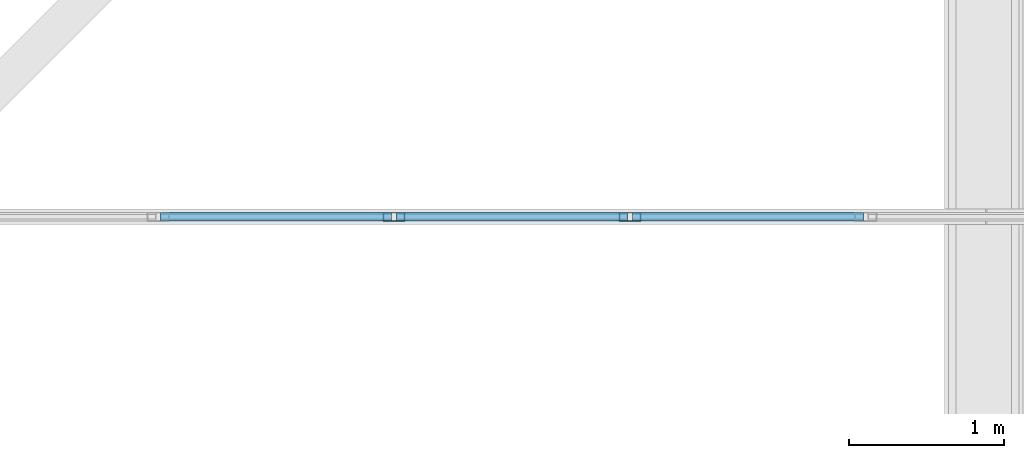
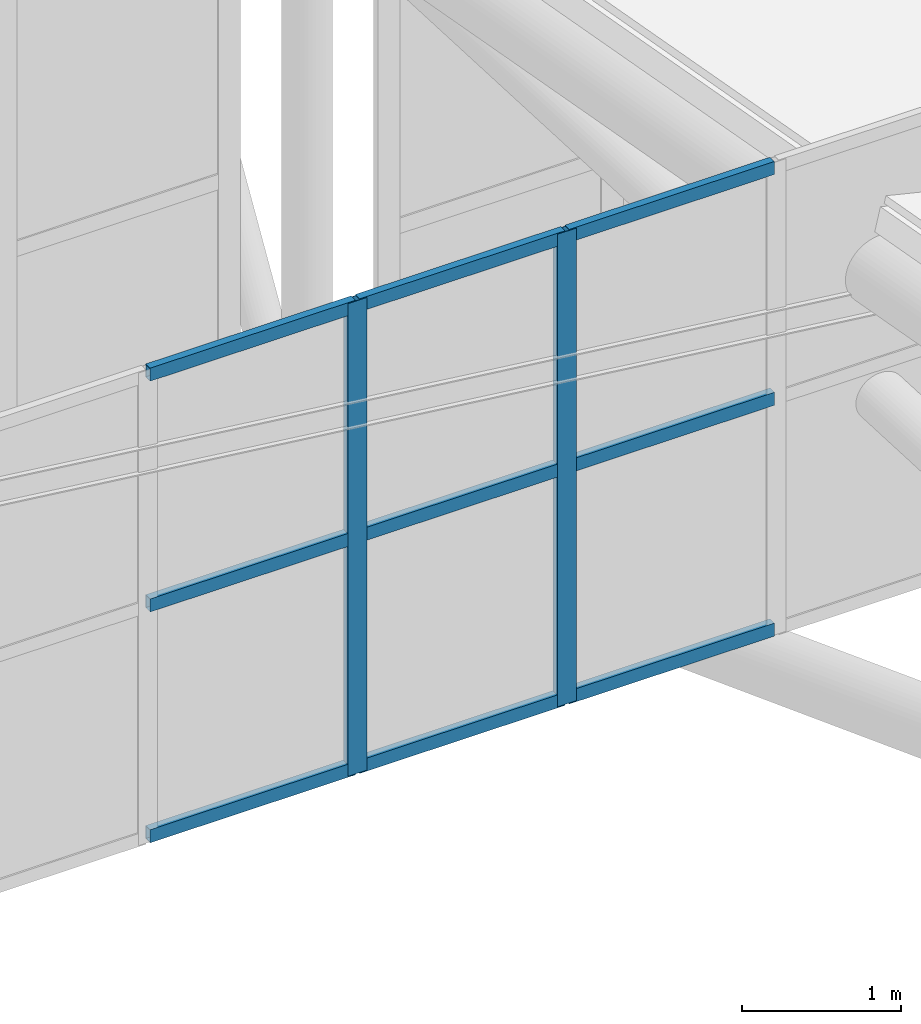
# One storey, part 338 of 397: 11 members, 1 element without a shape of its own.
"""IFC4 building model written with IfcOpenShell, lengths in metres."""

from ifc_helpers import new_model, si_unit, direction, frame, origin, origin_2d, place, context, subcontext, project, spatial, hollow_rectangle, extrude, material, material_profile, profile_set, type_object, element, aggregate, save


model = new_model("IFC4")

# Units and contexts
model_context = context("Model", 3, precision=1e-05, world=origin(), true_north=direction((0.0, 1.0)))
body_context = subcontext(model_context, "Body", "Model", "MODEL_VIEW")
ifc_project = project(units=[si_unit("LENGTHUNIT", "METRE"), si_unit("AREAUNIT", "SQUARE_METRE"), si_unit("VOLUMEUNIT", "CUBIC_METRE"), si_unit("PLANEANGLEUNIT", "RADIAN"), si_unit("MASSUNIT", "GRAM", prefix="KILO")], contexts=[model_context])

# Site, building, storey
site_placement = place(None, origin())
site = spatial("IfcSite", under=ifc_project, at=site_placement, CompositionType="ELEMENT")
building_placement = place(site_placement, origin())
building = spatial("IfcBuilding", under=site, at=building_placement, Name="Qandorah Velis Arena", CompositionType="ELEMENT")
storey_placement = place(building_placement, frame((0.0, 0.0, 27.5)))
storey = spatial("IfcBuildingStorey", under=building, at=storey_placement, Name="RF", CompositionType="ELEMENT", Elevation=27.5)

# Curtain wall, members
ifc_material_1 = material(Name="Solar-control low-E double glazing", Category="glass")
curtain_wall_type = type_object("IfcCurtainWallType", Name="ARC-CW-SYS06", PredefinedType="USERDEFINED", material=ifc_material_1)
curtain_wall_placement = place(storey_placement, origin())
curtain_wall = element("IfcCurtainWall", 1, at=curtain_wall_placement, inside=storey, type_object=curtain_wall_type, Name="Unitised curtain wall MON-4-6", ObjectType="UNITISED CURTAIN WALL", PredefinedType="USERDEFINED")
ifc_material_2 = material(Name="Champagne-bronze anodized aluminium 6063-T6", Category="aluminium")
ifc_material_profile_1 = material_profile(ifc_material_2, hollow_rectangle(XDim=0.054931640625, YDim=0.139892578125, WallThickness=0.0029296875, at=origin_2d()), Name="ALU MULLION 55x140")
ifc_profile_set_1 = profile_set([ifc_material_profile_1], Name="Champagne-bronze anodized aluminium 6063-T6")
member_type_1 = type_object("IfcMemberType", Name="ARC-CWM-140", PredefinedType="MULLION", material=ifc_profile_set_1)
member_1_placement = place(storey_placement, frame((96.994384765625, 108.0, 3.625732421875), z_axis=(0.0, 0.0, 1.0), x_axis=(0.0, 1.0, 0.0)))
member_1 = element("IfcMember", 2, at=member_1_placement, type_object=member_type_1, Name="CW06 mullion 3", PredefinedType="MULLION", context=body_context, shape_type="SweptSolid", body=[
    extrude(hollow_rectangle(XDim=0.054931640625, YDim=0.139892578125, WallThickness=0.0029296875, at=origin_2d()), origin(), (0.0, 0.0, 1.0), 3.630126953125),
])
member_2_placement = place(storey_placement, frame((98.5166015625, 108.0, 3.625732421875), z_axis=(0.0, 0.0, 1.0), x_axis=(0.0, 1.0, 0.0)))
member_2 = element("IfcMember", 3, at=member_2_placement, type_object=member_type_1, Name="CW06 mullion 4", PredefinedType="MULLION", context=body_context, shape_type="SweptSolid", body=[
    extrude(hollow_rectangle(XDim=0.054931640625, YDim=0.139892578125, WallThickness=0.0029296875, at=origin_2d()), origin(), (0.0, 0.0, 1.0), 3.630126953125),
])
ifc_material_profile_2 = material_profile(ifc_material_2, hollow_rectangle(XDim=0.054931640625, YDim=0.10009765625, WallThickness=0.0029296875, at=origin_2d()), Name="ALU TRANSOM 55x100")
ifc_profile_set_2 = profile_set([ifc_material_profile_2], Name="Champagne-bronze anodized aluminium 6063-T6")
member_type_2 = type_object("IfcMemberType", Name="ARC-CWT-100", PredefinedType="USERDEFINED", material=ifc_profile_set_2)
member_3_placement = place(storey_placement, frame((95.48779296875, 108.0, 3.668212890625), z_axis=(1.0, 0.0, 0.0), x_axis=(0.0, 1.0, 0.0)))
member_3 = element("IfcMember", 4, at=member_3_placement, type_object=member_type_2, Name="CW06 transom 2.1", ObjectType="TRANSOM", PredefinedType="USERDEFINED", context=body_context, shape_type="SweptSolid", body=[
    extrude(hollow_rectangle(XDim=0.054931640625, YDim=0.10009765625, WallThickness=0.0029296875, at=origin_2d()), origin(), (0.0, 0.0, 1.0), 1.4912109375),
])
member_4_placement = place(storey_placement, frame((95.48779296875, 108.0, 5.44091796875), z_axis=(1.0, 0.0, 0.0), x_axis=(0.0, 1.0, 0.0)))
member_4 = element("IfcMember", 5, at=member_4_placement, type_object=member_type_2, Name="CW06 transom 2.2", ObjectType="TRANSOM", PredefinedType="USERDEFINED", context=body_context, shape_type="SweptSolid", body=[
    extrude(hollow_rectangle(XDim=0.054931640625, YDim=0.10009765625, WallThickness=0.0029296875, at=origin_2d()), origin(), (0.0, 0.0, 1.0), 1.4912109375),
])
member_5_placement = place(storey_placement, frame((95.48779296875, 108.0, 7.21337890625), z_axis=(1.0, 0.0, 0.0), x_axis=(0.0, 1.0, 0.0)))
member_5 = element("IfcMember", 6, at=member_5_placement, type_object=member_type_2, Name="CW06 transom 2.3", ObjectType="TRANSOM", PredefinedType="USERDEFINED", context=body_context, shape_type="SweptSolid", body=[
    extrude(hollow_rectangle(XDim=0.054931640625, YDim=0.10009765625, WallThickness=0.0029296875, at=origin_2d()), origin(), (0.0, 0.0, 1.0), 1.4912109375),
])
member_6_placement = place(storey_placement, frame((97.010009765625, 108.0, 3.668212890625), z_axis=(1.0, 0.0, 0.0), x_axis=(0.0, 1.0, 0.0)))
member_6 = element("IfcMember", 7, at=member_6_placement, type_object=member_type_2, Name="CW06 transom 3.1", ObjectType="TRANSOM", PredefinedType="USERDEFINED", context=body_context, shape_type="SweptSolid", body=[
    extrude(hollow_rectangle(XDim=0.054931640625, YDim=0.10009765625, WallThickness=0.0029296875, at=origin_2d()), origin(), (0.0, 0.0, 1.0), 1.4912109375),
])
member_7_placement = place(storey_placement, frame((97.010009765625, 108.0, 5.44091796875), z_axis=(1.0, 0.0, 0.0), x_axis=(0.0, 1.0, 0.0)))
member_7 = element("IfcMember", 8, at=member_7_placement, type_object=member_type_2, Name="CW06 transom 3.2", ObjectType="TRANSOM", PredefinedType="USERDEFINED", context=body_context, shape_type="SweptSolid", body=[
    extrude(hollow_rectangle(XDim=0.054931640625, YDim=0.10009765625, WallThickness=0.0029296875, at=origin_2d()), origin(), (0.0, 0.0, 1.0), 1.4912109375),
])
member_8_placement = place(storey_placement, frame((97.010009765625, 108.0, 7.21337890625), z_axis=(1.0, 0.0, 0.0), x_axis=(0.0, 1.0, 0.0)))
member_8 = element("IfcMember", 9, at=member_8_placement, type_object=member_type_2, Name="CW06 transom 3.3", ObjectType="TRANSOM", PredefinedType="USERDEFINED", context=body_context, shape_type="SweptSolid", body=[
    extrude(hollow_rectangle(XDim=0.054931640625, YDim=0.10009765625, WallThickness=0.0029296875, at=origin_2d()), origin(), (0.0, 0.0, 1.0), 1.4912109375),
])
member_9_placement = place(storey_placement, frame((98.5322265625, 108.0, 3.668212890625), z_axis=(1.0, 0.0, 0.0), x_axis=(0.0, 1.0, 0.0)))
member_9 = element("IfcMember", 10, at=member_9_placement, type_object=member_type_2, Name="CW06 transom 4.1", ObjectType="TRANSOM", PredefinedType="USERDEFINED", context=body_context, shape_type="SweptSolid", body=[
    extrude(hollow_rectangle(XDim=0.054931640625, YDim=0.10009765625, WallThickness=0.0029296875, at=origin_2d()), origin(), (0.0, 0.0, 1.0), 1.4912109375),
])
member_10_placement = place(storey_placement, frame((98.5322265625, 108.0, 5.44091796875), z_axis=(1.0, 0.0, 0.0), x_axis=(0.0, 1.0, 0.0)))
member_10 = element("IfcMember", 11, at=member_10_placement, type_object=member_type_2, Name="CW06 transom 4.2", ObjectType="TRANSOM", PredefinedType="USERDEFINED", context=body_context, shape_type="SweptSolid", body=[
    extrude(hollow_rectangle(XDim=0.054931640625, YDim=0.10009765625, WallThickness=0.0029296875, at=origin_2d()), origin(), (0.0, 0.0, 1.0), 1.4912109375),
])
member_11_placement = place(storey_placement, frame((98.5322265625, 108.0, 7.21337890625), z_axis=(1.0, 0.0, 0.0), x_axis=(0.0, 1.0, 0.0)))
member_11 = element("IfcMember", 12, at=member_11_placement, type_object=member_type_2, Name="CW06 transom 4.3", ObjectType="TRANSOM", PredefinedType="USERDEFINED", context=body_context, shape_type="SweptSolid", body=[
    extrude(hollow_rectangle(XDim=0.054931640625, YDim=0.10009765625, WallThickness=0.0029296875, at=origin_2d()), origin(), (0.0, 0.0, 1.0), 1.4912109375),
])
aggregate(curtain_wall, [member_1, member_2, member_3, member_4, member_5, member_6, member_7, member_8, member_9, member_10, member_11])

save(model, "model.ifc")
